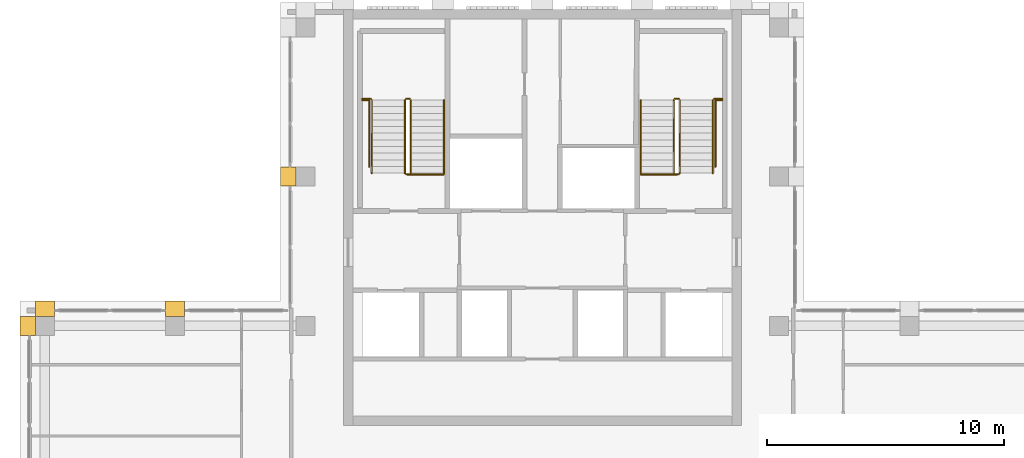
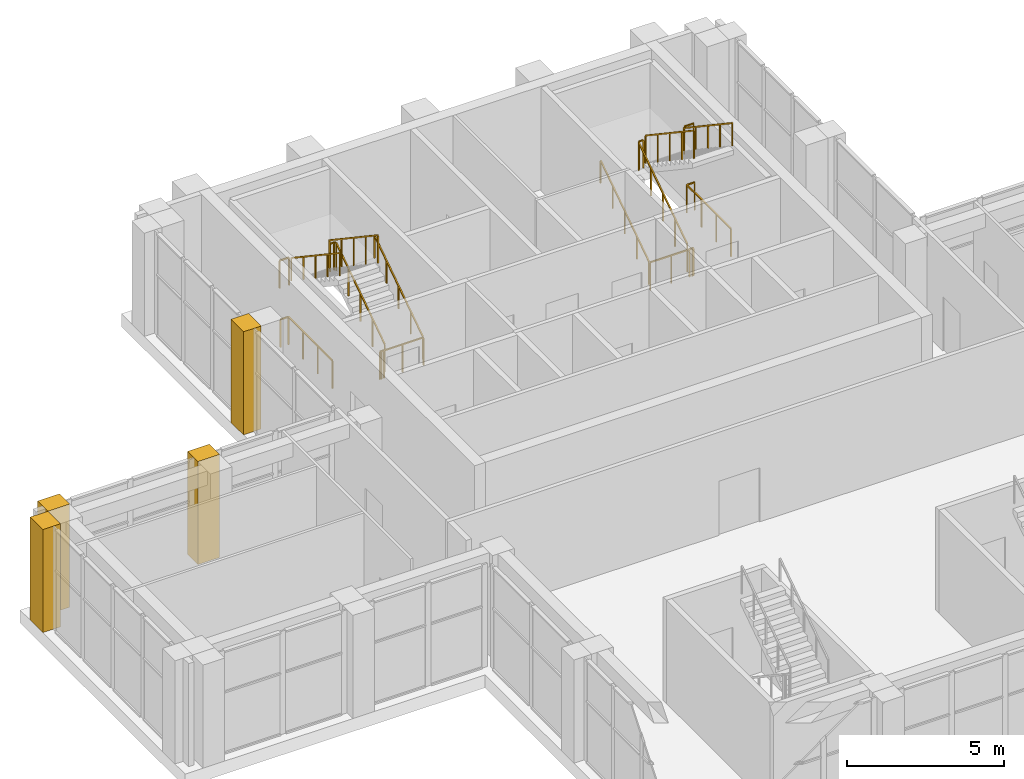
# One storey, part 13 of 14: 16 railings, 4 coverings.
"""IFC4 building model written with IfcOpenShell, lengths in metres."""

from ifc_helpers import new_model, si_unit, direction, frame, origin, origin_2d, place, context, subcontext, project, spatial, polyline, rectangle, outline, extrude, material, type_object, element, save


model = new_model("IFC4")

# Units and contexts
model_context = context("Model", 3, precision=1e-05, world=origin(), true_north=direction((0.0, 1.0)))
body_context = subcontext(model_context, "Body", "Model", "MODEL_VIEW")
ifc_project = project(units=[si_unit("LENGTHUNIT", "METRE"), si_unit("AREAUNIT", "SQUARE_METRE"), si_unit("VOLUMEUNIT", "CUBIC_METRE"), si_unit("PLANEANGLEUNIT", "RADIAN"), si_unit("MASSUNIT", "GRAM", prefix="KILO")], contexts=[model_context])

# Site, building, storey
site_placement = place(None, origin())
site = spatial("IfcSite", under=ifc_project, at=site_placement, CompositionType="ELEMENT")
building_placement = place(site_placement, origin())
building = spatial("IfcBuilding", under=site, at=building_placement, Name="Vermilion Ogive Tower", CompositionType="ELEMENT")
storey_placement = place(building_placement, frame((0.0, 0.0, 289.35009765625)))
storey = spatial("IfcBuildingStorey", under=building, at=storey_placement, Name="L75", CompositionType="ELEMENT", Elevation=289.35009765625)

# Railings
ifc_material_1 = material(Name="Steel S355 painted", Category="steel")
railing_type_1 = type_object("IfcRailingType", Name="Stair guard 1100", PredefinedType="GUARDRAIL", material=ifc_material_1)
railing_1_placement = place(storey_placement, frame((-5.550048828125, 14.85009765625, 0.1875)))
element("IfcRailing", 1, at=railing_1_placement, inside=storey, type_object=railing_type_1, Name="L75 ST1 stair guard 1", PredefinedType="GUARDRAIL", context=body_context, shape_type="SweptSolid", body=[
    extrude(rectangle(XDim=0.048095703125, YDim=0.048095703125, at=origin_2d()), frame((0.0, 0.0, 1.076171875), z_axis=(0.0, 0.830893310487, 0.556431762742), x_axis=(-1.0, 0.0, 0.0)), (0.0, 0.0, 1.0), 3.70654296875),
    extrude(rectangle(XDim=0.048095703125, YDim=0.048095703125, at=origin_2d()), frame((0.0, 3.079833984375, 3.138671875), z_axis=(-0.707106781187, 0.707106781187, 0.0), x_axis=(-0.707106781187, -0.707106781187, 0.0)), (0.0, 0.0, 1.0), 0.07080078125),
    extrude(rectangle(XDim=0.048095703125, YDim=0.048095703125, at=origin_2d()), frame((-0.050048828125, 3.1298828125, 3.138671875), z_axis=(-1.0, 0.0, 0.0), x_axis=(0.0, -1.0, 0.0)), (0.0, 0.0, 1.0), 0.14990234375),
    extrude(rectangle(XDim=0.0419921875, YDim=0.0419921875, at=origin_2d()), origin(), (0.0, 0.0, 1.0), 1.052001953125),
    extrude(rectangle(XDim=0.0419921875, YDim=0.0419921875, at=origin_2d()), frame((0.0, 0.77001953125, 0.515625)), (0.0, 0.0, 1.0), 1.052001953125),
    extrude(rectangle(XDim=0.0419921875, YDim=0.0419921875, at=origin_2d()), frame((0.0, 1.5400390625, 1.03125)), (0.0, 0.0, 1.0), 1.052001953125),
    extrude(rectangle(XDim=0.0419921875, YDim=0.0419921875, at=origin_2d()), frame((0.0, 2.309814453125, 1.546875)), (0.0, 0.0, 1.0), 1.052001953125),
    extrude(rectangle(XDim=0.0419921875, YDim=0.0419921875, at=origin_2d()), frame((0.0, 3.079833984375, 2.0625)), (0.0, 0.0, 1.0), 1.052001953125),
    extrude(rectangle(XDim=0.0419921875, YDim=0.0419921875, at=origin_2d()), frame((-0.050048828125, 3.1298828125, 2.0625)), (0.0, 0.0, 1.0), 1.052001953125),
    extrude(rectangle(XDim=0.0419921875, YDim=0.0419921875, at=origin_2d()), frame((-0.199951171875, 3.1298828125, 2.0625)), (0.0, 0.0, 1.0), 1.052001953125),
])
railing_2_placement = place(storey_placement, frame((-5.800048828125, 17.929931640625, 2.4375)))
element("IfcRailing", 2, at=railing_2_placement, inside=storey, type_object=railing_type_1, Name="L75 ST1 stair guard 3", PredefinedType="GUARDRAIL", context=body_context, shape_type="SweptSolid", body=[
    extrude(rectangle(XDim=0.048095703125, YDim=0.048095703125, at=origin_2d()), frame((0.0, 0.0, 1.076171875), z_axis=(0.0, -0.830893310487, 0.556431762742), x_axis=(1.0, 0.0, 0.0)), (0.0, 0.0, 1.0), 3.70654296875),
    extrude(rectangle(XDim=0.0419921875, YDim=0.0419921875, at=origin_2d()), origin(), (0.0, 0.0, 1.0), 1.052001953125),
    extrude(rectangle(XDim=0.0419921875, YDim=0.0419921875, at=origin_2d()), frame((0.0, -0.77001953125, 0.515625)), (0.0, 0.0, 1.0), 1.052001953125),
    extrude(rectangle(XDim=0.0419921875, YDim=0.0419921875, at=origin_2d()), frame((0.0, -1.5400390625, 1.03125)), (0.0, 0.0, 1.0), 1.052001953125),
    extrude(rectangle(XDim=0.0419921875, YDim=0.0419921875, at=origin_2d()), frame((0.0, -2.309814453125, 1.546875)), (0.0, 0.0, 1.0), 1.052001953125),
    extrude(rectangle(XDim=0.0419921875, YDim=0.0419921875, at=origin_2d()), frame((0.0, -3.079833984375, 2.0625)), (0.0, 0.0, 1.0), 1.052001953125),
])
railing_3_placement = place(storey_placement, frame((-5.60009765625, 14.800048828125, 0.0)))
element("IfcRailing", 3, at=railing_3_placement, inside=storey, type_object=railing_type_1, Name="L75 ST1 stair guard 4", PredefinedType="GUARDRAIL", context=body_context, shape_type="SweptSolid", body=[
    extrude(rectangle(XDim=0.048095703125, YDim=0.048095703125, at=origin_2d()), frame((0.0, 0.0, 1.076171875), z_axis=(-1.0, 0.0, 0.0), x_axis=(0.0, -1.0, 0.0)), (0.0, 0.0, 1.0), 0.14990234375),
    extrude(rectangle(XDim=0.0419921875, YDim=0.0419921875, at=origin_2d()), origin(), (0.0, 0.0, 1.0), 1.052001953125),
    extrude(rectangle(XDim=0.0419921875, YDim=0.0419921875, at=origin_2d()), frame((-0.14990234375, 0.0, 0.0)), (0.0, 0.0, 1.0), 1.052001953125),
])
railing_4_placement = place(storey_placement, frame((5.550048828125, 14.85009765625, 0.1875)))
element("IfcRailing", 4, at=railing_4_placement, inside=storey, type_object=railing_type_1, Name="L75 ST2 stair guard 1", PredefinedType="GUARDRAIL", context=body_context, shape_type="SweptSolid", body=[
    extrude(rectangle(XDim=0.048095703125, YDim=0.048095703125, at=origin_2d()), frame((0.0, 0.0, 1.076171875), z_axis=(0.0, 0.830893310487, 0.556431762742), x_axis=(-1.0, 0.0, 0.0)), (0.0, 0.0, 1.0), 3.70654296875),
    extrude(rectangle(XDim=0.048095703125, YDim=0.048095703125, at=origin_2d()), frame((0.0, 3.079833984375, 3.138671875), z_axis=(0.707106781187, 0.707106781187, 0.0), x_axis=(-0.707106781187, 0.707106781187, 0.0)), (0.0, 0.0, 1.0), 0.07080078125),
    extrude(rectangle(XDim=0.048095703125, YDim=0.048095703125, at=origin_2d()), frame((0.050048828125, 3.1298828125, 3.138671875), z_axis=(1.0, 0.0, 0.0), x_axis=(0.0, 1.0, 0.0)), (0.0, 0.0, 1.0), 0.14990234375),
    extrude(rectangle(XDim=0.0419921875, YDim=0.0419921875, at=origin_2d()), origin(), (0.0, 0.0, 1.0), 1.052001953125),
    extrude(rectangle(XDim=0.0419921875, YDim=0.0419921875, at=origin_2d()), frame((0.0, 0.77001953125, 0.515625)), (0.0, 0.0, 1.0), 1.052001953125),
    extrude(rectangle(XDim=0.0419921875, YDim=0.0419921875, at=origin_2d()), frame((0.0, 1.5400390625, 1.03125)), (0.0, 0.0, 1.0), 1.052001953125),
    extrude(rectangle(XDim=0.0419921875, YDim=0.0419921875, at=origin_2d()), frame((0.0, 2.309814453125, 1.546875)), (0.0, 0.0, 1.0), 1.052001953125),
    extrude(rectangle(XDim=0.0419921875, YDim=0.0419921875, at=origin_2d()), frame((0.0, 3.079833984375, 2.0625)), (0.0, 0.0, 1.0), 1.052001953125),
    extrude(rectangle(XDim=0.0419921875, YDim=0.0419921875, at=origin_2d()), frame((0.050048828125, 3.1298828125, 2.0625)), (0.0, 0.0, 1.0), 1.052001953125),
    extrude(rectangle(XDim=0.0419921875, YDim=0.0419921875, at=origin_2d()), frame((0.199951171875, 3.1298828125, 2.0625)), (0.0, 0.0, 1.0), 1.052001953125),
])
railing_5_placement = place(storey_placement, frame((5.800048828125, 17.929931640625, 2.4375)))
element("IfcRailing", 5, at=railing_5_placement, inside=storey, type_object=railing_type_1, Name="L75 ST2 stair guard 3", PredefinedType="GUARDRAIL", context=body_context, shape_type="SweptSolid", body=[
    extrude(rectangle(XDim=0.048095703125, YDim=0.048095703125, at=origin_2d()), frame((0.0, 0.0, 1.076171875), z_axis=(0.0, -0.830893310487, 0.556431762742), x_axis=(1.0, 0.0, 0.0)), (0.0, 0.0, 1.0), 3.70654296875),
    extrude(rectangle(XDim=0.0419921875, YDim=0.0419921875, at=origin_2d()), origin(), (0.0, 0.0, 1.0), 1.052001953125),
    extrude(rectangle(XDim=0.0419921875, YDim=0.0419921875, at=origin_2d()), frame((0.0, -0.77001953125, 0.515625)), (0.0, 0.0, 1.0), 1.052001953125),
    extrude(rectangle(XDim=0.0419921875, YDim=0.0419921875, at=origin_2d()), frame((0.0, -1.5400390625, 1.03125)), (0.0, 0.0, 1.0), 1.052001953125),
    extrude(rectangle(XDim=0.0419921875, YDim=0.0419921875, at=origin_2d()), frame((0.0, -2.309814453125, 1.546875)), (0.0, 0.0, 1.0), 1.052001953125),
    extrude(rectangle(XDim=0.0419921875, YDim=0.0419921875, at=origin_2d()), frame((0.0, -3.079833984375, 2.0625)), (0.0, 0.0, 1.0), 1.052001953125),
])
railing_6_placement = place(storey_placement, frame((5.60009765625, 14.800048828125, 0.0)))
element("IfcRailing", 6, at=railing_6_placement, inside=storey, type_object=railing_type_1, Name="L75 ST2 stair guard 4", PredefinedType="GUARDRAIL", context=body_context, shape_type="SweptSolid", body=[
    extrude(rectangle(XDim=0.048095703125, YDim=0.048095703125, at=origin_2d()), frame((0.0, 0.0, 1.076171875), z_axis=(1.0, 0.0, 0.0), x_axis=(0.0, 1.0, 0.0)), (0.0, 0.0, 1.0), 0.14990234375),
    extrude(rectangle(XDim=0.0419921875, YDim=0.0419921875, at=origin_2d()), origin(), (0.0, 0.0, 1.0), 1.052001953125),
    extrude(rectangle(XDim=0.0419921875, YDim=0.0419921875, at=origin_2d()), frame((0.14990234375, 0.0, 0.0)), (0.0, 0.0, 1.0), 1.052001953125),
])
for number, where, name in (
    (7, (-7.60009765625, 17.97998046875, 2.25), "L75 landing guard"),
    (8, (7.25, 17.97998046875, 2.25), "L75 landing guard"),
):
    element("IfcRailing", number, at=place(storey_placement, frame(where)), inside=storey, type_object=railing_type_1, Name=name, PredefinedType="GUARDRAIL", context=body_context, shape_type="SweptSolid", body=[
        extrude(rectangle(XDim=0.048095703125, YDim=0.048095703125, at=origin_2d()), frame((0.0, 0.0, 1.076171875), z_axis=(1.0, 0.0, 0.0), x_axis=(0.0, 1.0, 0.0)), (0.0, 0.0, 1.0), 0.35009765625),
        extrude(rectangle(XDim=0.0419921875, YDim=0.0419921875, at=origin_2d()), origin(), (0.0, 0.0, 1.0), 1.052001953125),
        extrude(rectangle(XDim=0.0419921875, YDim=0.0419921875, at=origin_2d()), frame((0.35009765625, 0.0, 0.0)), (0.0, 0.0, 1.0), 1.052001953125),
    ])
railing_7_placement = place(storey_placement, frame((-4.159912109375, 14.7900390625, 0.0)))
element("IfcRailing", 9, at=railing_7_placement, inside=storey, type_object=railing_type_1, Name="L75 stair opening guard", PredefinedType="GUARDRAIL", context=body_context, shape_type="SweptSolid", body=[
    extrude(rectangle(XDim=0.048095703125, YDim=0.048095703125, at=origin_2d()), frame((0.0, 0.0, 1.076171875), z_axis=(-1.0, 0.0, 0.0), x_axis=(0.0, -1.0, 0.0)), (0.0, 0.0, 1.0), 1.5400390625),
    extrude(rectangle(XDim=0.0419921875, YDim=0.0419921875, at=origin_2d()), origin(), (0.0, 0.0, 1.0), 1.052001953125),
    extrude(rectangle(XDim=0.0419921875, YDim=0.0419921875, at=origin_2d()), frame((-0.77001953125, 0.0, 0.0)), (0.0, 0.0, 1.0), 1.052001953125),
    extrude(rectangle(XDim=0.0419921875, YDim=0.0419921875, at=origin_2d()), frame((-1.5400390625, 0.0, 0.0)), (0.0, 0.0, 1.0), 1.052001953125),
])
railing_8_placement = place(storey_placement, frame((-7.309814453125, 15.119384765625, 0.0)))
element("IfcRailing", 10, at=railing_8_placement, inside=storey, type_object=railing_type_1, Name="L75 stair opening guard", PredefinedType="GUARDRAIL", context=body_context, shape_type="SweptSolid", body=[
    extrude(rectangle(XDim=0.048095703125, YDim=0.048095703125, at=origin_2d()), frame((0.0, 0.0, 1.076171875), z_axis=(0.0, 1.0, 0.0), x_axis=(-1.0, 0.0, 0.0)), (0.0, 0.0, 1.0), 2.804443359375),
    extrude(rectangle(XDim=0.048095703125, YDim=0.048095703125, at=origin_2d()), frame((0.0, 2.804443359375, 1.076171875), z_axis=(-1.0, 0.0, 0.0), x_axis=(0.0, -1.0, 0.0)), (0.0, 0.0, 1.0), 0.289794921875),
    extrude(rectangle(XDim=0.0419921875, YDim=0.0419921875, at=origin_2d()), origin(), (0.0, 0.0, 1.0), 1.052001953125),
    extrude(rectangle(XDim=0.0419921875, YDim=0.0419921875, at=origin_2d()), frame((0.0, 0.934814453125, 0.0)), (0.0, 0.0, 1.0), 1.052001953125),
    extrude(rectangle(XDim=0.0419921875, YDim=0.0419921875, at=origin_2d()), frame((0.0, 1.86962890625, 0.0)), (0.0, 0.0, 1.0), 1.052001953125),
    extrude(rectangle(XDim=0.0419921875, YDim=0.0419921875, at=origin_2d()), frame((0.0, 2.804443359375, 0.0)), (0.0, 0.0, 1.0), 1.052001953125),
    extrude(rectangle(XDim=0.0419921875, YDim=0.0419921875, at=origin_2d()), frame((-0.289794921875, 2.804443359375, 0.0)), (0.0, 0.0, 1.0), 1.052001953125),
])
railing_9_placement = place(storey_placement, frame((7.599609375, 17.923828125, 0.0)))
element("IfcRailing", 11, at=railing_9_placement, inside=storey, type_object=railing_type_1, Name="L75 stair opening guard", PredefinedType="GUARDRAIL", context=body_context, shape_type="SweptSolid", body=[
    extrude(rectangle(XDim=0.048095703125, YDim=0.048095703125, at=origin_2d()), frame((0.0, 0.0, 1.076171875), z_axis=(-1.0, 0.0, 0.0), x_axis=(0.0, -1.0, 0.0)), (0.0, 0.0, 1.0), 0.289794921875),
    extrude(rectangle(XDim=0.048095703125, YDim=0.048095703125, at=origin_2d()), frame((-0.289794921875, 0.0, 1.076171875), z_axis=(0.0, -1.0, 0.0), x_axis=(1.0, 0.0, 0.0)), (0.0, 0.0, 1.0), 2.804443359375),
    extrude(rectangle(XDim=0.0419921875, YDim=0.0419921875, at=origin_2d()), origin(), (0.0, 0.0, 1.0), 1.052001953125),
    extrude(rectangle(XDim=0.0419921875, YDim=0.0419921875, at=origin_2d()), frame((-0.289794921875, 0.0, 0.0)), (0.0, 0.0, 1.0), 1.052001953125),
    extrude(rectangle(XDim=0.0419921875, YDim=0.0419921875, at=origin_2d()), frame((-0.289794921875, -0.934814453125, 0.0)), (0.0, 0.0, 1.0), 1.052001953125),
    extrude(rectangle(XDim=0.0419921875, YDim=0.0419921875, at=origin_2d()), frame((-0.289794921875, -1.86962890625, 0.0)), (0.0, 0.0, 1.0), 1.052001953125),
    extrude(rectangle(XDim=0.0419921875, YDim=0.0419921875, at=origin_2d()), frame((-0.289794921875, -2.804443359375, 0.0)), (0.0, 0.0, 1.0), 1.052001953125),
])
railing_10_placement = place(storey_placement, frame((5.699951171875, 14.7900390625, 0.0)))
element("IfcRailing", 12, at=railing_10_placement, inside=storey, type_object=railing_type_1, Name="L75 stair opening guard", PredefinedType="GUARDRAIL", context=body_context, shape_type="SweptSolid", body=[
    extrude(rectangle(XDim=0.048095703125, YDim=0.048095703125, at=origin_2d()), frame((0.0, 0.0, 1.076171875), z_axis=(-1.0, 0.0, 0.0), x_axis=(0.0, -1.0, 0.0)), (0.0, 0.0, 1.0), 1.5400390625),
    extrude(rectangle(XDim=0.0419921875, YDim=0.0419921875, at=origin_2d()), origin(), (0.0, 0.0, 1.0), 1.052001953125),
    extrude(rectangle(XDim=0.0419921875, YDim=0.0419921875, at=origin_2d()), frame((-0.77001953125, 0.0, 0.0)), (0.0, 0.0, 1.0), 1.052001953125),
    extrude(rectangle(XDim=0.0419921875, YDim=0.0419921875, at=origin_2d()), frame((-1.5400390625, 0.0, 0.0)), (0.0, 0.0, 1.0), 1.052001953125),
])
ifc_material_2 = material(Name="Stainless steel", Category="steel")
railing_type_2 = type_object("IfcRailingType", Name="Stair handrail 900", PredefinedType="HANDRAIL", material=ifc_material_2)
railing_11_placement = place(storey_placement, frame((-4.14990234375, 14.85009765625, 0.1875)))
element("IfcRailing", 13, at=railing_11_placement, inside=storey, type_object=railing_type_2, Name="L75 ST1 stair handrail 1", PredefinedType="HANDRAIL", context=body_context, shape_type="SweptSolid", body=[
    extrude(rectangle(XDim=0.048095703125, YDim=0.048095703125, at=origin_2d()), frame((0.0, 0.0, 0.8759765625), z_axis=(0.0, 0.830893310487, 0.556431762742), x_axis=(-1.0, 0.0, 0.0)), (0.0, 0.0, 1.0), 3.70654296875),
    extrude(rectangle(XDim=0.0419921875, YDim=0.0419921875, at=origin_2d()), origin(), (0.0, 0.0, 1.0), 0.851806640625),
    extrude(rectangle(XDim=0.0419921875, YDim=0.0419921875, at=origin_2d()), frame((0.0, 0.77001953125, 0.515625)), (0.0, 0.0, 1.0), 0.851806640625),
    extrude(rectangle(XDim=0.0419921875, YDim=0.0419921875, at=origin_2d()), frame((0.0, 1.5400390625, 1.03125)), (0.0, 0.0, 1.0), 0.851806640625),
    extrude(rectangle(XDim=0.0419921875, YDim=0.0419921875, at=origin_2d()), frame((0.0, 2.309814453125, 1.546875)), (0.0, 0.0, 1.0), 0.851806640625),
    extrude(rectangle(XDim=0.0419921875, YDim=0.0419921875, at=origin_2d()), frame((0.0, 3.079833984375, 2.0625)), (0.0, 0.0, 1.0), 0.851806640625),
])
railing_12_placement = place(storey_placement, frame((-7.199951171875, 17.929931640625, 2.4375)))
element("IfcRailing", 14, at=railing_12_placement, inside=storey, type_object=railing_type_2, Name="L75 ST1 stair handrail 2", PredefinedType="HANDRAIL", context=body_context, shape_type="SweptSolid", body=[
    extrude(rectangle(XDim=0.048095703125, YDim=0.048095703125, at=origin_2d()), frame((0.0, 0.0, 0.8759765625), z_axis=(0.0, -0.830893310487, 0.556431762742), x_axis=(1.0, 0.0, 0.0)), (0.0, 0.0, 1.0), 3.70654296875),
    extrude(rectangle(XDim=0.0419921875, YDim=0.0419921875, at=origin_2d()), origin(), (0.0, 0.0, 1.0), 0.851806640625),
    extrude(rectangle(XDim=0.0419921875, YDim=0.0419921875, at=origin_2d()), frame((0.0, -0.77001953125, 0.515625)), (0.0, 0.0, 1.0), 0.851806640625),
    extrude(rectangle(XDim=0.0419921875, YDim=0.0419921875, at=origin_2d()), frame((0.0, -1.5400390625, 1.03125)), (0.0, 0.0, 1.0), 0.851806640625),
    extrude(rectangle(XDim=0.0419921875, YDim=0.0419921875, at=origin_2d()), frame((0.0, -2.309814453125, 1.546875)), (0.0, 0.0, 1.0), 0.851806640625),
    extrude(rectangle(XDim=0.0419921875, YDim=0.0419921875, at=origin_2d()), frame((0.0, -3.079833984375, 2.0625)), (0.0, 0.0, 1.0), 0.851806640625),
])
railing_13_placement = place(storey_placement, frame((4.14990234375, 14.85009765625, 0.1875)))
element("IfcRailing", 15, at=railing_13_placement, inside=storey, type_object=railing_type_2, Name="L75 ST2 stair handrail 1", PredefinedType="HANDRAIL", context=body_context, shape_type="SweptSolid", body=[
    extrude(rectangle(XDim=0.048095703125, YDim=0.048095703125, at=origin_2d()), frame((0.0, 0.0, 0.8759765625), z_axis=(0.0, 0.830893310487, 0.556431762742), x_axis=(-1.0, 0.0, 0.0)), (0.0, 0.0, 1.0), 3.70654296875),
    extrude(rectangle(XDim=0.0419921875, YDim=0.0419921875, at=origin_2d()), origin(), (0.0, 0.0, 1.0), 0.851806640625),
    extrude(rectangle(XDim=0.0419921875, YDim=0.0419921875, at=origin_2d()), frame((0.0, 0.77001953125, 0.515625)), (0.0, 0.0, 1.0), 0.851806640625),
    extrude(rectangle(XDim=0.0419921875, YDim=0.0419921875, at=origin_2d()), frame((0.0, 1.5400390625, 1.03125)), (0.0, 0.0, 1.0), 0.851806640625),
    extrude(rectangle(XDim=0.0419921875, YDim=0.0419921875, at=origin_2d()), frame((0.0, 2.309814453125, 1.546875)), (0.0, 0.0, 1.0), 0.851806640625),
    extrude(rectangle(XDim=0.0419921875, YDim=0.0419921875, at=origin_2d()), frame((0.0, 3.079833984375, 2.0625)), (0.0, 0.0, 1.0), 0.851806640625),
])
railing_14_placement = place(storey_placement, frame((7.199951171875, 17.929931640625, 2.4375)))
element("IfcRailing", 16, at=railing_14_placement, inside=storey, type_object=railing_type_2, Name="L75 ST2 stair handrail 2", PredefinedType="HANDRAIL", context=body_context, shape_type="SweptSolid", body=[
    extrude(rectangle(XDim=0.048095703125, YDim=0.048095703125, at=origin_2d()), frame((0.0, 0.0, 0.8759765625), z_axis=(0.0, -0.830893310487, 0.556431762742), x_axis=(1.0, 0.0, 0.0)), (0.0, 0.0, 1.0), 3.70654296875),
    extrude(rectangle(XDim=0.0419921875, YDim=0.0419921875, at=origin_2d()), origin(), (0.0, 0.0, 1.0), 0.851806640625),
    extrude(rectangle(XDim=0.0419921875, YDim=0.0419921875, at=origin_2d()), frame((0.0, -0.77001953125, 0.515625)), (0.0, 0.0, 1.0), 0.851806640625),
    extrude(rectangle(XDim=0.0419921875, YDim=0.0419921875, at=origin_2d()), frame((0.0, -1.5400390625, 1.03125)), (0.0, 0.0, 1.0), 0.851806640625),
    extrude(rectangle(XDim=0.0419921875, YDim=0.0419921875, at=origin_2d()), frame((0.0, -2.309814453125, 1.546875)), (0.0, 0.0, 1.0), 0.851806640625),
    extrude(rectangle(XDim=0.0419921875, YDim=0.0419921875, at=origin_2d()), frame((0.0, -3.079833984375, 2.0625)), (0.0, 0.0, 1.0), 0.851806640625),
])

# Coverings
ifc_material_3 = material(Name="Stone cladding", Category="masonry")
covering_type = type_object("IfcCoveringType", Name="Stone pier", PredefinedType="CLADDING", material=ifc_material_3)
covering_1_placement = place(storey_placement, origin())
element("IfcCovering", 17, at=covering_1_placement, inside=storey, type_object=covering_type, Name="Stone pier P-0100+147", PredefinedType="CLADDING", context=body_context, shape_type="SweptSolid", body=[
    extrude(outline(polyline([(-11.050048828125, 14.300048828125), (-11.050048828125, 15.10009765625), (-10.39990234375, 15.10009765625), (-10.39990234375, 14.300048828125), (-11.050048828125, 14.300048828125)])), origin(), (0.0, 0.0, 1.0), 4.0),
])
covering_2_placement = place(storey_placement, origin())
element("IfcCovering", 18, at=covering_2_placement, inside=storey, type_object=covering_type, Name="Stone pier P-0155+084", PredefinedType="CLADDING", context=body_context, shape_type="SweptSolid", body=[
    extrude(outline(polyline([(-15.89990234375, 9.449951171875), (-15.10009765625, 9.449951171875), (-15.10009765625, 8.800048828125), (-15.89990234375, 8.800048828125), (-15.89990234375, 9.449951171875)])), origin(), (0.0, 0.0, 1.0), 4.0),
])
covering_3_placement = place(storey_placement, origin())
element("IfcCovering", 19, at=covering_3_placement, inside=storey, type_object=covering_type, Name="Stone pier P-0210+084X6", PredefinedType="CLADDING", context=body_context, shape_type="SweptSolid", body=[
    extrude(outline(polyline([(-21.39990234375, 9.449951171875), (-20.60009765625, 9.449951171875), (-20.60009765625, 8.800048828125), (-21.39990234375, 8.800048828125), (-21.39990234375, 9.449951171875)])), origin(), (0.0, 0.0, 1.0), 4.0),
])
covering_4_placement = place(storey_placement, origin())
element("IfcCovering", 20, at=covering_4_placement, inside=storey, type_object=covering_type, Name="Stone pier P-0210+084W", PredefinedType="CLADDING", context=body_context, shape_type="SweptSolid", body=[
    extrude(outline(polyline([(-22.050048828125, 8.800048828125), (-21.39990234375, 8.800048828125), (-21.39990234375, 8.0), (-22.050048828125, 8.0), (-22.050048828125, 8.800048828125)])), origin(), (0.0, 0.0, 1.0), 4.0),
])

save(model, "model.ifc")
